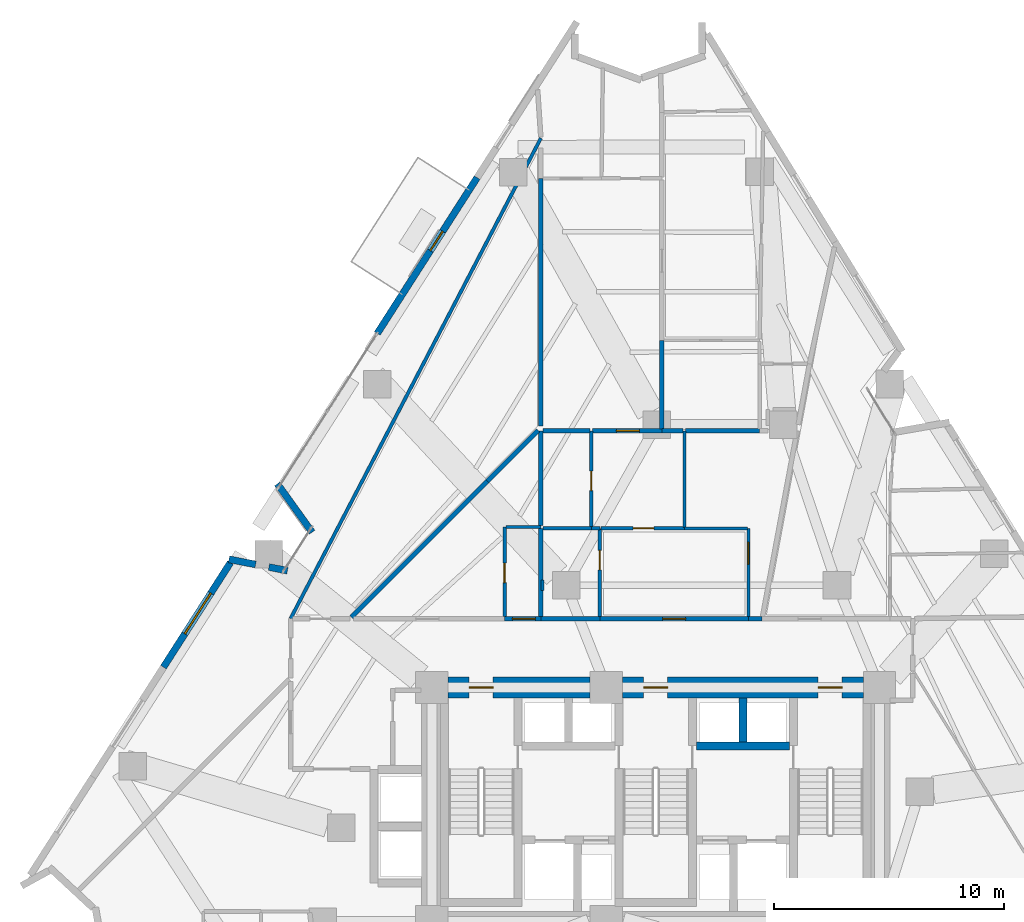
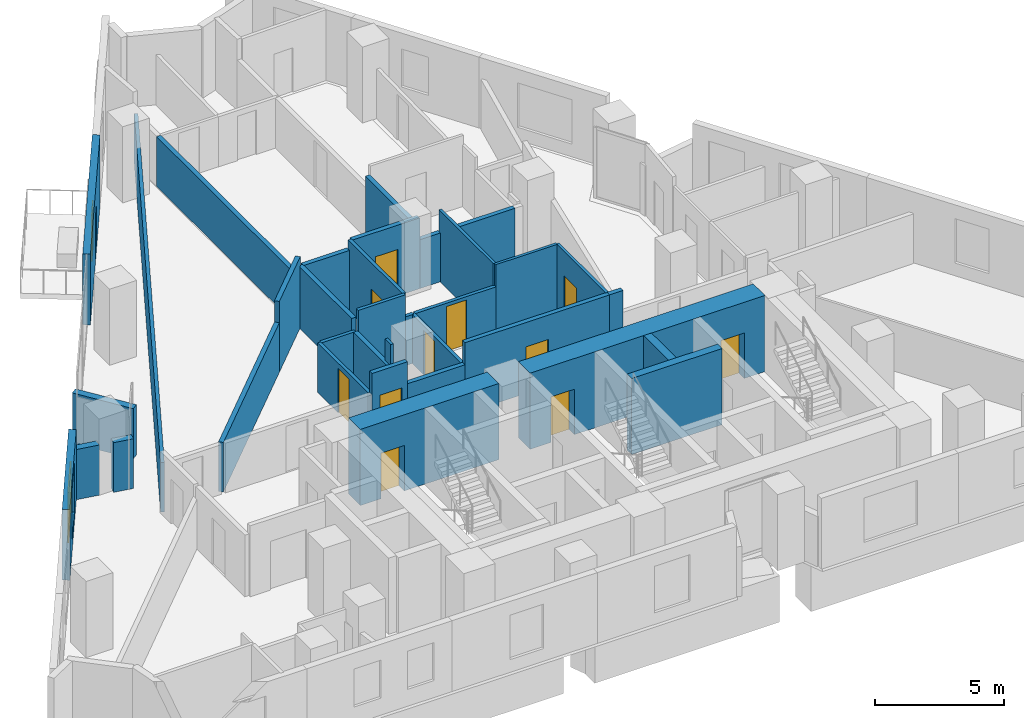
# One storey, part 7 of 13: 35 walls, 12 doors, 1 window, 13 openings.
"""IFC4 building model written with IfcOpenShell, lengths in metres."""

from ifc_helpers import new_model, si_unit, direction, frame, frame_2d, origin, place, context, subcontext, project, spatial, rectangle, extrude, material, layer, layer_set, type_object, element, fill, save


model = new_model("IFC4")

# Units and contexts
model_context = context("Model", 3, precision=1e-05, world=origin(), true_north=direction((0.0, 1.0)))
body_context = subcontext(model_context, "Body", "Model", "MODEL_VIEW")
ifc_project = project(units=[si_unit("LENGTHUNIT", "METRE"), si_unit("AREAUNIT", "SQUARE_METRE"), si_unit("VOLUMEUNIT", "CUBIC_METRE"), si_unit("PLANEANGLEUNIT", "RADIAN"), si_unit("MASSUNIT", "GRAM", prefix="KILO")], contexts=[model_context])

# Site, building, storey
site_placement = place(None, origin())
site = spatial("IfcSite", under=ifc_project, at=site_placement, CompositionType="ELEMENT")
building_placement = place(site_placement, origin())
building = spatial("IfcBuilding", under=site, at=building_placement, Name="Almagre Mirador Tower", CompositionType="ELEMENT")
storey_placement = place(building_placement, frame((0.0, 0.0, 75.0)))
storey = spatial("IfcBuildingStorey", under=building, at=storey_placement, Name="L18", CompositionType="ELEMENT", Elevation=75.0)

# Walls
ifc_material_1 = material(Name="Precast concrete C50/60", Category="concrete")
ifc_layer_1 = layer(ifc_material_1, 0.300048828125)
ifc_layer_set_1 = layer_set([ifc_layer_1], Name="Precast concrete C50/60")
wall_type_1 = type_object("IfcWallType", Name="WAL-EXT-300", PredefinedType="SOLIDWALL", material=ifc_layer_set_1)
wall_1_placement = place(storey_placement, frame((18.718505859375, 20.33154296875, 0.0), z_axis=(0.0, 0.0, 1.0), x_axis=(0.981768670621, -0.190079660635, 0.0)))
element("IfcWall", 1, at=wall_1_placement, inside=storey, type_object=wall_type_1, Name="L18 expressed almagre precast frame wall 01", PredefinedType="SOLIDWALL", context=body_context, shape_type="SweptSolid", body=[
    extrude(rectangle(XDim=1.182861328125, YDim=0.300048828125, at=frame_2d((0.59130859375, 0.0))), origin(), (0.0, 0.0, 1.0), 2.375),
])
wall_2_placement = place(storey_placement, frame((20.4560546875, 19.9951171875, 0.0), z_axis=(0.0, 0.0, 1.0), x_axis=(0.981715557517, -0.190353786749, 0.0)))
element("IfcWall", 2, at=wall_2_placement, inside=storey, type_object=wall_type_1, Name="L18 expressed almagre precast frame wall 02", PredefinedType="SOLIDWALL", context=body_context, shape_type="SweptSolid", body=[
    extrude(rectangle(XDim=0.823486328125, YDim=0.300048828125, at=frame_2d((0.41162109375, 0.0))), origin(), (0.0, 0.0, 1.0), 2.35009765625),
])
wall_3_placement = place(storey_placement, frame((22.336669921875, 21.51123046875, 0.0), z_axis=(0.0, 0.0, 1.0), x_axis=(-0.583178108206, 0.812344319922, 0.0)))
element("IfcWall", 3, at=wall_3_placement, inside=storey, type_object=wall_type_1, Name="L18 expressed almagre precast frame wall 03", PredefinedType="SOLIDWALL", context=body_context, shape_type="SweptSolid", body=[
    extrude(rectangle(XDim=2.593017578125, YDim=0.300048828125, at=frame_2d((1.29638671875, 0.0))), origin(), (0.0, 0.0, 1.0), 2.375),
])

# Wall, opening, door
wall_4_placement = place(storey_placement, frame((25.17724609375, 30.170654296875, 0.0), z_axis=(0.0, 0.0, 1.0), x_axis=(0.539427662029, 0.842031945616, 0.0)))
wall_4 = element("IfcWall", 4, at=wall_4_placement, inside=storey, type_object=wall_type_1, Name="L18 expressed almagre precast frame wall 04", PredefinedType="SOLIDWALL", context=body_context, shape_type="SweptSolid", body=[
    extrude(rectangle(XDim=8.057373046875, YDim=0.300048828125, at=frame_2d((4.02880859375, 0.0))), origin(), (0.0, 0.0, 1.0), 3.35009765625),
])
opening_1_placement = place(wall_4_placement, frame((4.28076171875, 0.0, 0.0)))
opening_1 = element("IfcOpeningElement", 5, at=opening_1_placement, cuts=wall_4, Name="Opening BD-01", PredefinedType="OPENING", context=body_context, shape_type="SweptSolid", body=[
    extrude(rectangle(XDim=1.0, YDim=2.199951171875, at=frame_2d((0.5, 1.10009765625))), frame((0.0, 0.159902, 0.0), z_axis=(0.0, -1.0, 0.0), x_axis=(1.0, 0.0, 0.0)), (0.0, 0.0, 1.0), 0.320049),
])
ifc_material_2 = material(Name="Black anodized aluminium and laminated glass", Category="aluminium")
door_type_1 = type_object("IfcDoorType", Name="DOR-BAL-1000X2200", OperationType="NOTDEFINED", PredefinedType="DOOR", material=ifc_material_2)
door_1_placement = place(opening_1_placement, origin())
door_1 = element("IfcDoor", 6, at=door_1_placement, inside=storey, type_object=door_type_1, Name="DR-0598 L18 west balcony glazed door 2", OperationType="SINGLE_SWING_RIGHT", OverallHeight=2.199951171875, OverallWidth=1.0, PredefinedType="DOOR", context=body_context, shape_type="SweptSolid", body=[
    extrude(rectangle(XDim=1.0, YDim=2.199951171875, at=frame_2d((0.5, 1.10009765625))), frame((0.0, 0.02490234375, 0.0), z_axis=(0.0, -1.0, 0.0), x_axis=(1.0, 0.0, 0.0)), (0.0, 0.0, 1.0), 0.050048828125),
])
fill(opening_1, door_1)

# Wall, opening, window
wall_5_placement = place(storey_placement, frame((15.8642578125, 15.63525390625, 0.0), z_axis=(0.0, 0.0, 1.0), x_axis=(0.53944798429, 0.842018926299, 0.0)))
wall_5 = element("IfcWall", 7, at=wall_5_placement, inside=storey, type_object=wall_type_1, Name="L18 expressed almagre precast frame wall 37", PredefinedType="SOLIDWALL", context=body_context, shape_type="SweptSolid", body=[
    extrude(rectangle(XDim=5.410888671875, YDim=0.300048828125, at=frame_2d((2.70556640625, 0.0))), origin(), (0.0, 0.0, 1.0), 3.35009765625),
])
opening_2_placement = place(wall_5_placement, frame((1.72509765625, 0.0, 0.550048828125)))
opening_2 = element("IfcOpeningElement", 8, at=opening_2_placement, cuts=wall_5, Name="Opening WN-05", PredefinedType="OPENING", context=body_context, shape_type="SweptSolid", body=[
    extrude(rectangle(XDim=2.10009765625, YDim=2.39990234375, at=frame_2d((1.050048828125, 1.199951171875))), frame((0.0, 0.159902, 0.0), z_axis=(0.0, -1.0, 0.0), x_axis=(1.0, 0.0, 0.0)), (0.0, 0.0, 1.0), 0.320049),
])
ifc_material_3 = material(Name="Dark solar-control laminated hurricane glass", Category="glass")
window_type = type_object("IfcWindowType", Name="WIN-2100X2400", PartitioningType="DOUBLE_PANEL_VERTICAL", PredefinedType="WINDOW", material=ifc_material_3)
window_placement = place(opening_2_placement, origin())
window = element("IfcWindow", 9, at=window_placement, inside=storey, type_object=window_type, Name="L18 recessed hurricane window L18-RST-E", OverallHeight=2.39990234375, OverallWidth=2.10009765625, PartitioningType="SINGLE_PANEL", PredefinedType="WINDOW", context=body_context, shape_type="SweptSolid", body=[
    extrude(rectangle(XDim=2.10009765625, YDim=2.39990234375, at=frame_2d((1.050048828125, 1.199951171875))), frame((0.0, 0.030029296875, 0.0), z_axis=(0.0, -1.0, 0.0), x_axis=(1.0, 0.0, 0.0)), (0.0, 0.0, 1.0), 0.06005859375),
])
fill(opening_2, window)

# Wall, opening, door
ifc_material_4 = material(Name="Gypsum acoustic stud partition", Category="other")
ifc_layer_2 = layer(ifc_material_4, 0.125)
ifc_layer_set_2 = layer_set([ifc_layer_2], Name="Gypsum acoustic stud partition")
wall_type_2 = type_object("IfcWallType", Name="WAL-PRT-125-UTL", PredefinedType="PARTITIONING", material=ifc_layer_set_2)
wall_6_placement = place(storey_placement, frame((41.340087890625, 17.8349609375, 0.0), z_axis=(0.0, 0.0, 1.0), x_axis=(0.0, 1.0, 0.0)))
wall_6 = element("IfcWall", 10, at=wall_6_placement, inside=storey, type_object=wall_type_2, Name="L18 interior partition 038", PredefinedType="PARTITIONING", context=body_context, shape_type="SweptSolid", body=[
    extrude(rectangle(XDim=3.844970703125, YDim=0.125, at=frame_2d((1.92236328125, 0.0))), origin(), (0.0, 0.0, 1.0), 3.35009765625),
])
opening_3_placement = place(wall_6_placement, frame((2.285400390625, 0.0, 0.0)))
opening_3 = element("IfcOpeningElement", 11, at=opening_3_placement, cuts=wall_6, Name="Opening UD-01", PredefinedType="OPENING", context=body_context, shape_type="SweptSolid", body=[
    extrude(rectangle(XDim=0.949951171875, YDim=2.199951171875, at=frame_2d((0.47509765625, 1.10009765625))), frame((0.0, 0.0725, 0.0), z_axis=(0.0, -1.0, 0.0), x_axis=(1.0, 0.0, 0.0)), (0.0, 0.0, 1.0), 0.145),
])
ifc_material_5 = material(Name="Solid American walnut timber", Category="wood")
door_type_2 = type_object("IfcDoorType", Name="DOR-UNR-950X2200", OperationType="NOTDEFINED", PredefinedType="DOOR", material=ifc_material_5)
door_2_placement = place(opening_3_placement, origin())
door_2 = element("IfcDoor", 12, at=door_2_placement, inside=storey, type_object=door_type_2, Name="DR-0612 L18 interior door L18-UH-LV to L18-UH-KT", OperationType="SINGLE_SWING_RIGHT", OverallHeight=2.199951171875, OverallWidth=0.949951171875, PredefinedType="DOOR", context=body_context, shape_type="SweptSolid", body=[
    extrude(rectangle(XDim=0.949951171875, YDim=2.199951171875, at=frame_2d((0.47509765625, 1.10009765625))), frame((0.0, 0.02490234375, 0.0), z_axis=(0.0, -1.0, 0.0), x_axis=(1.0, 0.0, 0.0)), (0.0, 0.0, 1.0), 0.050048828125),
])
fill(opening_3, door_2)

# Walls
wall_7_placement = place(storey_placement, frame((41.29248046875, 21.679931640625, 0.0), z_axis=(0.0, 0.0, 1.0), x_axis=(-1.0, 0.0, 0.0)))
element("IfcWall", 13, at=wall_7_placement, inside=storey, type_object=wall_type_2, Name="L18 interior partition 039", PredefinedType="PARTITIONING", context=body_context, shape_type="SweptSolid", body=[
    extrude(rectangle(XDim=2.742431640625, YDim=0.125, at=frame_2d((1.37109375, 0.0))), origin(), (0.0, 0.0, 1.0), 3.35009765625),
])
wall_8_placement = place(storey_placement, frame((38.550048828125, 25.929931640625, 0.0), z_axis=(0.0, 0.0, 1.0), x_axis=(0.0, -1.0, 0.0)))
element("IfcWall", 14, at=wall_8_placement, inside=storey, type_object=wall_type_2, Name="L18 interior partition 043", PredefinedType="PARTITIONING", context=body_context, shape_type="SweptSolid", body=[
    extrude(rectangle(XDim=4.202392578125, YDim=0.125, at=frame_2d((2.10107421875, 0.0))), origin(), (0.0, 0.0, 1.0), 3.35009765625),
])
wall_9_placement = place(storey_placement, frame((32.3798828125, 18.97998046875, 0.0), z_axis=(0.0, 0.0, 1.0), x_axis=(0.0, 1.0, 0.0)))
element("IfcWall", 15, at=wall_9_placement, inside=storey, type_object=wall_type_2, Name="L18 interior partition 074", PredefinedType="PARTITIONING", context=body_context, shape_type="SweptSolid", body=[
    extrude(rectangle(XDim=0.43994140625, YDim=0.125, at=frame_2d((0.219970703125, 0.0))), origin(), (0.0, 0.0, 1.0), 3.35009765625),
])
ifc_material_6 = material(Name="Gypsum acoustic stud partition", Category="other")
ifc_layer_3 = layer(ifc_material_6, 0.14990234375)
ifc_layer_set_3 = layer_set([ifc_layer_3], Name="Gypsum acoustic stud partition")
wall_type_3 = type_object("IfcWallType", Name="WAL-PRT-150-STD", PredefinedType="PARTITIONING", material=ifc_layer_set_3)
wall_10_placement = place(storey_placement, frame((21.39990234375, 17.75, 0.0), z_axis=(0.0, 0.0, 1.0), x_axis=(0.46207959711, 0.886838455376, 0.0)))
element("IfcWall", 16, at=wall_10_placement, inside=storey, type_object=wall_type_3, Name="L18 interior partition 025", PredefinedType="PARTITIONING", context=body_context, shape_type="SweptSolid", body=[
    extrude(rectangle(XDim=23.58935546875, YDim=0.14990234375, at=frame_2d((11.794677734375, 0.0))), origin(), (0.0, 0.0, 1.0), 2.344970703125),
])

# Wall, opening, door
wall_11_placement = place(storey_placement, frame((30.719970703125, 17.8349609375, 0.0), z_axis=(0.0, 0.0, 1.0), x_axis=(0.0, 1.0, 0.0)))
wall_11 = element("IfcWall", 17, at=wall_11_placement, inside=storey, type_object=wall_type_3, Name="L18 interior partition 029", PredefinedType="PARTITIONING", context=body_context, shape_type="SweptSolid", body=[
    extrude(rectangle(XDim=3.905029296875, YDim=0.14990234375, at=frame_2d((1.95263671875, 0.0))), origin(), (0.0, 0.0, 1.0), 2.344970703125),
])
opening_4_placement = place(wall_11_placement, frame((1.485107421875, 0.0, 0.0)))
opening_4 = element("IfcOpeningElement", 18, at=opening_4_placement, cuts=wall_11, Name="Opening UD-04", PredefinedType="OPENING", context=body_context, shape_type="SweptSolid", body=[
    extrude(rectangle(XDim=0.85009765625, YDim=2.10009765625, at=frame_2d((0.425048828125, 1.050048828125))), frame((0.0, 0.084951, 0.0), z_axis=(0.0, -1.0, 0.0), x_axis=(1.0, 0.0, 0.0)), (0.0, 0.0, 1.0), 0.169902),
])
ifc_material_7 = material(Name="Moisture-resistant oak timber", Category="wood")
door_type_3 = type_object("IfcDoorType", Name="DOR-UNR-850X2100", OperationType="NOTDEFINED", PredefinedType="DOOR", material=ifc_material_7)
door_3_placement = place(opening_4_placement, origin())
door_3 = element("IfcDoor", 19, at=door_3_placement, inside=storey, type_object=door_type_3, Name="DR-0610 L18 interior door L18-UF-ST to L18-UF-BT", OperationType="SINGLE_SWING_RIGHT", OverallHeight=2.10009765625, OverallWidth=0.85009765625, PredefinedType="DOOR", context=body_context, shape_type="SweptSolid", body=[
    extrude(rectangle(XDim=0.85009765625, YDim=2.10009765625, at=frame_2d((0.425048828125, 1.050048828125))), frame((0.0, 0.02490234375, 0.0), z_axis=(0.0, -1.0, 0.0), x_axis=(1.0, 0.0, 0.0)), (0.0, 0.0, 1.0), 0.050048828125),
])
fill(opening_4, door_3)

# Wall
wall_12_placement = place(storey_placement, frame((30.780029296875, 21.739990234375, 0.0), z_axis=(0.0, 0.0, 1.0), x_axis=(1.0, 0.0, 0.0)))
element("IfcWall", 20, at=wall_12_placement, inside=storey, type_object=wall_type_3, Name="L18 interior partition 031", PredefinedType="PARTITIONING", context=body_context, shape_type="SweptSolid", body=[
    extrude(rectangle(XDim=1.52001953125, YDim=0.14990234375, at=frame_2d((0.760009765625, 0.0))), origin(), (0.0, 0.0, 1.0), 2.344970703125),
])

# Wall, opening, door
wall_13_placement = place(storey_placement, frame((34.8701171875, 21.679931640625, 0.0), z_axis=(0.0, 0.0, 1.0), x_axis=(0.0, -1.0, 0.0)))
wall_13 = element("IfcWall", 21, at=wall_13_placement, inside=storey, type_object=wall_type_3, Name="L18 interior partition 037", PredefinedType="PARTITIONING", context=body_context, shape_type="SweptSolid", body=[
    extrude(rectangle(XDim=3.844970703125, YDim=0.14990234375, at=frame_2d((1.92236328125, 0.0))), origin(), (0.0, 0.0, 1.0), 2.30908203125),
])
opening_5_placement = place(wall_13_placement, frame((0.956787109375, 0.0, 0.0)))
opening_5 = element("IfcOpeningElement", 22, at=opening_5_placement, cuts=wall_13, Name="Opening UD-04", PredefinedType="OPENING", context=body_context, shape_type="SweptSolid", body=[
    extrude(rectangle(XDim=0.85009765625, YDim=2.10009765625, at=frame_2d((0.425048828125, 1.050048828125))), frame((0.0, 0.084951, 0.0), z_axis=(0.0, -1.0, 0.0), x_axis=(1.0, 0.0, 0.0)), (0.0, 0.0, 1.0), 0.169902),
])
door_4_placement = place(opening_5_placement, origin())
door_4 = element("IfcDoor", 23, at=door_4_placement, inside=storey, type_object=door_type_3, Name="DR-0613 L18 interior door L18-UH-LV to L18-UH-HB", OperationType="SINGLE_SWING_LEFT", OverallHeight=2.10009765625, OverallWidth=0.85009765625, PredefinedType="DOOR", context=body_context, shape_type="SweptSolid", body=[
    extrude(rectangle(XDim=0.85009765625, YDim=2.10009765625, at=frame_2d((0.425048828125, 1.050048828125))), frame((0.0, 0.02490234375, 0.0), z_axis=(0.0, -1.0, 0.0), x_axis=(1.0, 0.0, 0.0)), (0.0, 0.0, 1.0), 0.050048828125),
])
fill(opening_5, door_4)

wall_14_placement = place(storey_placement, frame((38.550048828125, 21.679931640625, 0.0), z_axis=(0.0, 0.0, 1.0), x_axis=(-1.0, 0.0, 0.0)))
wall_14 = element("IfcWall", 24, at=wall_14_placement, inside=storey, type_object=wall_type_3, Name="L18 interior partition 040", PredefinedType="PARTITIONING", context=body_context, shape_type="SweptSolid", body=[
    extrude(rectangle(XDim=3.6201171875, YDim=0.14990234375, at=frame_2d((1.81005859375, 0.0))), origin(), (0.0, 0.0, 1.0), 2.30908203125),
])
opening_6_placement = place(wall_14_placement, frame((1.33056640625, 0.0, 0.0)))
opening_6 = element("IfcOpeningElement", 25, at=opening_6_placement, cuts=wall_14, Name="Opening UD-02", PredefinedType="OPENING", context=body_context, shape_type="SweptSolid", body=[
    extrude(rectangle(XDim=0.89990234375, YDim=2.14990234375, at=frame_2d((0.449951171875, 1.074951171875))), frame((0.0, 0.084951, 0.0), z_axis=(0.0, -1.0, 0.0), x_axis=(1.0, 0.0, 0.0)), (0.0, 0.0, 1.0), 0.169902),
])
ifc_material_8 = material(Name="Solid American walnut timber", Category="wood")
door_type_4 = type_object("IfcDoorType", Name="DOR-UNR-900X2150", OperationType="NOTDEFINED", PredefinedType="DOOR", material=ifc_material_8)
door_5_placement = place(opening_6_placement, origin())
door_5 = element("IfcDoor", 26, at=door_5_placement, inside=storey, type_object=door_type_4, Name="DR-0614 L18 interior door L18-UH-LV to L18-UH-MB", OperationType="SINGLE_SWING_RIGHT", OverallHeight=2.14990234375, OverallWidth=0.89990234375, PredefinedType="DOOR", context=body_context, shape_type="SweptSolid", body=[
    extrude(rectangle(XDim=0.89990234375, YDim=2.14990234375, at=frame_2d((0.449951171875, 1.074951171875))), frame((0.0, 0.02490234375, 0.0), z_axis=(0.0, -1.0, 0.0), x_axis=(1.0, 0.0, 0.0)), (0.0, 0.0, 1.0), 0.050048828125),
])
fill(opening_6, door_5)

# Walls
wall_15_placement = place(storey_placement, frame((34.8701171875, 21.679931640625, 0.0), z_axis=(0.0, 0.0, 1.0), x_axis=(-1.0, 0.0, 0.0)))
element("IfcWall", 27, at=wall_15_placement, inside=storey, type_object=wall_type_3, Name="L18 interior partition 041", PredefinedType="PARTITIONING", context=body_context, shape_type="SweptSolid", body=[
    extrude(rectangle(XDim=0.3701171875, YDim=0.14990234375, at=frame_2d((0.18505859375, 0.0))), origin(), (0.0, 0.0, 1.0), 2.30908203125),
])
wall_16_placement = place(storey_placement, frame((34.5, 21.679931640625, 0.0), z_axis=(0.0, 0.0, 1.0), x_axis=(-1.0, 0.0, 0.0)))
element("IfcWall", 28, at=wall_16_placement, inside=storey, type_object=wall_type_3, Name="L18 interior partition 042", PredefinedType="PARTITIONING", context=body_context, shape_type="SweptSolid", body=[
    extrude(rectangle(XDim=2.114990234375, YDim=0.14990234375, at=frame_2d((1.0576171875, 0.0))), origin(), (0.0, 0.0, 1.0), 3.35009765625),
])

# Wall, opening, door
wall_17_placement = place(storey_placement, frame((34.5, 25.929931640625, 0.0), z_axis=(0.0, 0.0, 1.0), x_axis=(0.0, -1.0, 0.0)))
wall_17 = element("IfcWall", 29, at=wall_17_placement, inside=storey, type_object=wall_type_3, Name="L18 interior partition 047", PredefinedType="PARTITIONING", context=body_context, shape_type="SweptSolid", body=[
    extrude(rectangle(XDim=4.18994140625, YDim=0.14990234375, at=frame_2d((2.094970703125, 0.0))), origin(), (0.0, 0.0, 1.0), 3.35009765625),
])
opening_7_placement = place(wall_17_placement, frame((1.7578125, 0.0, 0.0)))
opening_7 = element("IfcOpeningElement", 30, at=opening_7_placement, cuts=wall_17, Name="Opening UD-04", PredefinedType="OPENING", context=body_context, shape_type="SweptSolid", body=[
    extrude(rectangle(XDim=0.85009765625, YDim=2.10009765625, at=frame_2d((0.425048828125, 1.050048828125))), frame((0.0, 0.084951, 0.0), z_axis=(0.0, -1.0, 0.0), x_axis=(1.0, 0.0, 0.0)), (0.0, 0.0, 1.0), 0.169902),
])
door_6_placement = place(opening_7_placement, origin())
door_6 = element("IfcDoor", 31, at=door_6_placement, inside=storey, type_object=door_type_3, Name="DR-0615 L18 interior door L18-UH-MB to L18-UH-EN", OperationType="SINGLE_SWING_LEFT", OverallHeight=2.10009765625, OverallWidth=0.85009765625, PredefinedType="DOOR", context=body_context, shape_type="SweptSolid", body=[
    extrude(rectangle(XDim=0.85009765625, YDim=2.10009765625, at=frame_2d((0.425048828125, 1.050048828125))), frame((0.0, 0.02490234375, 0.0), z_axis=(0.0, -1.0, 0.0), x_axis=(1.0, 0.0, 0.0)), (0.0, 0.0, 1.0), 0.050048828125),
])
fill(opening_7, door_6)

ifc_material_9 = material(Name="Gypsum acoustic stud partition", Category="other")
ifc_layer_4 = layer(ifc_material_9, 0.199951171875)
ifc_layer_set_4 = layer_set([ifc_layer_4], Name="Gypsum acoustic stud partition")
wall_type_4 = type_object("IfcWallType", Name="WAL-PRT-200-EI60", PredefinedType="PARTITIONING", material=ifc_layer_set_4)
wall_18_placement = place(storey_placement, frame((32.300048828125, 17.75, 0.0), z_axis=(0.0, 0.0, 1.0), x_axis=(-1.0, 0.0, 0.0)))
wall_18 = element("IfcWall", 32, at=wall_18_placement, inside=storey, type_object=wall_type_4, Name="L18 interior partition 008", PredefinedType="PARTITIONING", context=body_context, shape_type="SweptSolid", body=[
    extrude(rectangle(XDim=1.580078125, YDim=0.199951171875, at=frame_2d((0.7900390625, 0.0))), origin(), (0.0, 0.0, 1.0), 3.35009765625),
])
opening_8_placement = place(wall_18_placement, frame((0.239990234375, 0.0, 0.0)))
opening_8 = element("IfcOpeningElement", 33, at=opening_8_placement, cuts=wall_18, Name="Opening ID-01", PredefinedType="OPENING", context=body_context, shape_type="SweptSolid", body=[
    extrude(rectangle(XDim=1.0, YDim=2.199951171875, at=frame_2d((0.5, 1.10009765625))), frame((0.0, 0.110098, 0.0), z_axis=(0.0, -1.0, 0.0), x_axis=(1.0, 0.0, 0.0)), (0.0, 0.0, 1.0), 0.219951),
])
ifc_material_10 = material(Name="Fire-rated walnut timber", Category="wood")
door_type_5 = type_object("IfcDoorType", Name="DOR-FD60-1000X2200", OperationType="NOTDEFINED", PredefinedType="DOOR", material=ifc_material_10)
door_7_placement = place(opening_8_placement, origin())
door_7 = element("IfcDoor", 34, at=door_7_placement, inside=storey, type_object=door_type_5, Name="DR-0628 L18 interior door L18-RCOR to L18-UF-BT", OperationType="SINGLE_SWING_RIGHT", OverallHeight=2.199951171875, OverallWidth=1.0, PredefinedType="DOOR", context=body_context, shape_type="SweptSolid", body=[
    extrude(rectangle(XDim=1.0, YDim=2.199951171875, at=frame_2d((0.5, 1.10009765625))), frame((0.0, 0.02490234375, 0.0), z_axis=(0.0, -1.0, 0.0), x_axis=(1.0, 0.0, 0.0)), (0.0, 0.0, 1.0), 0.050048828125),
])
fill(opening_8, door_7)

wall_19_placement = place(storey_placement, frame((41.340087890625, 17.75, 0.0), z_axis=(0.0, 0.0, 1.0), x_axis=(-1.0, 0.0, 0.0)))
wall_19 = element("IfcWall", 35, at=wall_19_placement, inside=storey, type_object=wall_type_4, Name="L18 interior partition 010", PredefinedType="PARTITIONING", context=body_context, shape_type="SweptSolid", body=[
    extrude(rectangle(XDim=6.469970703125, YDim=0.199951171875, at=frame_2d((3.23486328125, 0.0))), origin(), (0.0, 0.0, 1.0), 3.35009765625),
])
opening_9_placement = place(wall_19_placement, frame((2.735107421875, 0.0, 0.0)))
opening_9 = element("IfcOpeningElement", 36, at=opening_9_placement, cuts=wall_19, Name="Opening ID-01", PredefinedType="OPENING", context=body_context, shape_type="SweptSolid", body=[
    extrude(rectangle(XDim=1.0, YDim=2.199951171875, at=frame_2d((0.5, 1.10009765625))), frame((0.0, 0.110098, 0.0), z_axis=(0.0, -1.0, 0.0), x_axis=(1.0, 0.0, 0.0)), (0.0, 0.0, 1.0), 0.219951),
])
door_8_placement = place(opening_9_placement, origin())
door_8 = element("IfcDoor", 37, at=door_8_placement, inside=storey, type_object=door_type_5, Name="DR-0611 L18 interior door L18-RCOR to L18-UH-LV", OperationType="SINGLE_SWING_LEFT", OverallHeight=2.199951171875, OverallWidth=1.0, PredefinedType="DOOR", context=body_context, shape_type="SweptSolid", body=[
    extrude(rectangle(XDim=1.0, YDim=2.199951171875, at=frame_2d((0.5, 1.10009765625))), frame((0.0, 0.02490234375, 0.0), z_axis=(0.0, -1.0, 0.0), x_axis=(1.0, 0.0, 0.0)), (0.0, 0.0, 1.0), 0.050048828125),
])
fill(opening_9, door_8)

# Walls
wall_20_placement = place(storey_placement, frame((34.8701171875, 17.75, 0.0), z_axis=(0.0, 0.0, 1.0), x_axis=(-1.0, 0.0, 0.0)))
element("IfcWall", 38, at=wall_20_placement, inside=storey, type_object=wall_type_4, Name="L18 interior partition 011", PredefinedType="PARTITIONING", context=body_context, shape_type="SweptSolid", body=[
    extrude(rectangle(XDim=2.570068359375, YDim=0.199951171875, at=frame_2d((1.28515625, 0.0))), origin(), (0.0, 0.0, 1.0), 2.30908203125),
])
wall_21_placement = place(storey_placement, frame((41.93994140625, 17.75, 0.0), z_axis=(0.0, 0.0, 1.0), x_axis=(-1.0, 0.0, 0.0)))
element("IfcWall", 39, at=wall_21_placement, inside=storey, type_object=wall_type_4, Name="L18 interior partition 012", PredefinedType="PARTITIONING", context=body_context, shape_type="SweptSolid", body=[
    extrude(rectangle(XDim=0.599853515625, YDim=0.199951171875, at=frame_2d((0.2998046875, 0.0))), origin(), (0.0, 0.0, 1.0), 3.35009765625),
])
wall_22_placement = place(storey_placement, frame((29.969970703125, 23.72998046875, 0.0), z_axis=(0.0, 0.0, 1.0), x_axis=(-0.707106781187, -0.707106781187, 0.0)))
element("IfcWall", 40, at=wall_22_placement, inside=storey, type_object=wall_type_4, Name="L18 interior partition 030", PredefinedType="PARTITIONING", context=body_context, shape_type="SweptSolid", body=[
    extrude(rectangle(XDim=8.3720703125, YDim=0.199951171875, at=frame_2d((4.18603515625, 0.0))), origin(), (0.0, 0.0, 1.0), 2.344970703125),
])
wall_23_placement = place(storey_placement, frame((32.18701171875, 25.947021484375, 0.0), z_axis=(0.0, 0.0, 1.0), x_axis=(-0.707106781187, -0.707106781187, 0.0)))
element("IfcWall", 41, at=wall_23_placement, inside=storey, type_object=wall_type_4, Name="L18 interior partition 032", PredefinedType="PARTITIONING", context=body_context, shape_type="SweptSolid", body=[
    extrude(rectangle(XDim=3.13525390625, YDim=0.199951171875, at=frame_2d((1.567626953125, 0.0))), origin(), (0.0, 0.0, 1.0), 3.35009765625),
])
wall_24_placement = place(storey_placement, frame((32.300048828125, 21.800048828125, 0.0), z_axis=(0.0, 0.0, 1.0), x_axis=(0.0, 1.0, 0.0)))
element("IfcWall", 42, at=wall_24_placement, inside=storey, type_object=wall_type_4, Name="L18 interior partition 033", PredefinedType="PARTITIONING", context=body_context, shape_type="SweptSolid", body=[
    extrude(rectangle(XDim=4.1298828125, YDim=0.199951171875, at=frame_2d((2.06494140625, 0.0))), origin(), (0.0, 0.0, 1.0), 2.910888671875),
])
wall_25_placement = place(storey_placement, frame((32.300048828125, 17.8349609375, 0.0), z_axis=(0.0, 0.0, 1.0), x_axis=(0.0, 1.0, 0.0)))
element("IfcWall", 43, at=wall_25_placement, inside=storey, type_object=wall_type_4, Name="L18 interior partition 034", PredefinedType="PARTITIONING", context=body_context, shape_type="SweptSolid", body=[
    extrude(rectangle(XDim=3.844970703125, YDim=0.199951171875, at=frame_2d((1.92236328125, 0.0))), origin(), (0.0, 0.0, 1.0), 2.344970703125),
])
wall_26_placement = place(storey_placement, frame((32.300048828125, 26.14501953125, 0.0), z_axis=(0.0, 0.0, 1.0), x_axis=(0.0, 1.0, 0.0)))
element("IfcWall", 44, at=wall_26_placement, inside=storey, type_object=wall_type_4, Name="L18 interior partition 035", PredefinedType="PARTITIONING", context=body_context, shape_type="SweptSolid", body=[
    extrude(rectangle(XDim=10.77490234375, YDim=0.199951171875, at=frame_2d((5.387451171875, 0.0))), origin(), (0.0, 0.0, 1.0), 2.344970703125),
])
wall_27_placement = place(storey_placement, frame((41.830078125, 25.929931640625, 0.0), z_axis=(0.0, 0.0, 1.0), x_axis=(-1.0, 0.0, 0.0)))
element("IfcWall", 45, at=wall_27_placement, inside=storey, type_object=wall_type_4, Name="L18 interior partition 045", PredefinedType="PARTITIONING", context=body_context, shape_type="SweptSolid", body=[
    extrude(rectangle(XDim=3.232666015625, YDim=0.199951171875, at=frame_2d((1.6162109375, 0.0))), origin(), (0.0, 0.0, 1.0), 2.30908203125),
])

# Wall, opening, door
wall_28_placement = place(storey_placement, frame((37.570068359375, 25.929931640625, 0.0), z_axis=(0.0, 0.0, 1.0), x_axis=(-1.0, 0.0, 0.0)))
wall_28 = element("IfcWall", 46, at=wall_28_placement, inside=storey, type_object=wall_type_4, Name="L18 interior partition 048", PredefinedType="PARTITIONING", context=body_context, shape_type="SweptSolid", body=[
    extrude(rectangle(XDim=3.010009765625, YDim=0.199951171875, at=frame_2d((1.5048828125, 0.0))), origin(), (0.0, 0.0, 1.0), 3.35009765625),
])
opening_10_placement = place(wall_28_placement, frame((0.975341796875, 0.0, 0.0)))
opening_10 = element("IfcOpeningElement", 47, at=opening_10_placement, cuts=wall_28, Name="Opening ID-01", PredefinedType="OPENING", context=body_context, shape_type="SweptSolid", body=[
    extrude(rectangle(XDim=1.0, YDim=2.199951171875, at=frame_2d((0.5, 1.10009765625))), frame((0.0, 0.110098, 0.0), z_axis=(0.0, -1.0, 0.0), x_axis=(1.0, 0.0, 0.0)), (0.0, 0.0, 1.0), 0.219951),
])
door_9_placement = place(opening_10_placement, origin())
door_9 = element("IfcDoor", 48, at=door_9_placement, inside=storey, type_object=door_type_5, Name="DR-0626 L18 interior door L18-UH-MB to L18-UK-ST", OperationType="SINGLE_SWING_RIGHT", OverallHeight=2.199951171875, OverallWidth=1.0, PredefinedType="DOOR", context=body_context, shape_type="SweptSolid", body=[
    extrude(rectangle(XDim=1.0, YDim=2.199951171875, at=frame_2d((0.5, 1.10009765625))), frame((0.0, 0.02490234375, 0.0), z_axis=(0.0, -1.0, 0.0), x_axis=(1.0, 0.0, 0.0)), (0.0, 0.0, 1.0), 0.050048828125),
])
fill(opening_10, door_9)

# Walls
wall_29_placement = place(storey_placement, frame((38.50244140625, 25.929931640625, 0.0), z_axis=(0.0, 0.0, 1.0), x_axis=(-1.0, 0.0, 0.0)))
element("IfcWall", 49, at=wall_29_placement, inside=storey, type_object=wall_type_4, Name="L18 interior partition 049", PredefinedType="PARTITIONING", context=body_context, shape_type="SweptSolid", body=[
    extrude(rectangle(XDim=0.932373046875, YDim=0.199951171875, at=frame_2d((0.46630859375, 0.0))), origin(), (0.0, 0.0, 1.0), 2.30908203125),
])
wall_30_placement = place(storey_placement, frame((34.43994140625, 25.929931640625, 0.0), z_axis=(0.0, 0.0, 1.0), x_axis=(-1.0, 0.0, 0.0)))
element("IfcWall", 50, at=wall_30_placement, inside=storey, type_object=wall_type_4, Name="L18 interior partition 050", PredefinedType="PARTITIONING", context=body_context, shape_type="SweptSolid", body=[
    extrude(rectangle(XDim=2.054931640625, YDim=0.199951171875, at=frame_2d((1.02734375, 0.0))), origin(), (0.0, 0.0, 1.0), 2.910888671875),
])
wall_31_placement = place(storey_placement, frame((37.570068359375, 26.014892578125, 0.0), z_axis=(0.0, 0.0, 1.0), x_axis=(0.0, 1.0, 0.0)))
element("IfcWall", 51, at=wall_31_placement, inside=storey, type_object=wall_type_4, Name="L18 interior partition 061", PredefinedType="PARTITIONING", context=body_context, shape_type="SweptSolid", body=[
    extrude(rectangle(XDim=3.855224609375, YDim=0.199951171875, at=frame_2d((1.927734375, 0.0))), origin(), (0.0, 0.0, 1.0), 2.910888671875),
])
ifc_material_11 = material(Name="Concrete C60/75", Category="concrete")
ifc_layer_5 = layer(ifc_material_11, 0.35009765625)
ifc_layer_set_5 = layer_set([ifc_layer_5], Name="Concrete C60/75")
wall_type_5 = type_object("IfcWallType", Name="WAL-SHF-350", PredefinedType="SOLIDWALL", material=ifc_layer_set_5)
wall_32_placement = place(storey_placement, frame((39.074951171875, 12.199951171875, 0.0), z_axis=(0.0, 0.0, 1.0), x_axis=(1.0, 0.0, 0.0)))
element("IfcWall", 52, at=wall_32_placement, inside=storey, type_object=wall_type_5, Name="L18 shaft wall PLH-S", PredefinedType="SOLIDWALL", context=body_context, shape_type="SweptSolid", body=[
    extrude(rectangle(XDim=4.050048828125, YDim=0.35009765625, at=frame_2d((2.02490234375, 0.0))), origin(), (0.0, 0.0, 1.0), 3.60009765625),
])
wall_33_placement = place(storey_placement, frame((41.10009765625, 12.375, 0.0), z_axis=(0.0, 0.0, 1.0), x_axis=(0.0, 1.0, 0.0)))
element("IfcWall", 53, at=wall_33_placement, inside=storey, type_object=wall_type_5, Name="L18 shaft wall PLH-M", PredefinedType="SOLIDWALL", context=body_context, shape_type="SweptSolid", body=[
    extrude(rectangle(XDim=1.925048828125, YDim=0.35009765625, at=frame_2d((0.96240234375, 0.0))), origin(), (0.0, 0.0, 1.0), 3.60009765625),
])

# Wall, opening, door
ifc_material_12 = material(Name="Concrete C70/85", Category="concrete")
ifc_layer_6 = layer(ifc_material_12, 0.89990234375)
ifc_layer_set_6 = layer_set([ifc_layer_6], Name="Concrete C70/85")
wall_type_6 = type_object("IfcWallType", Name="WAL-SHR-900", PredefinedType="SHEAR", material=ifc_layer_set_6)
wall_34_placement = place(storey_placement, frame((28.25, 14.75, 0.0), z_axis=(0.0, 0.0, 1.0), x_axis=(1.0, 0.0, 0.0)))
wall_34 = element("IfcWall", 54, at=wall_34_placement, inside=storey, type_object=wall_type_6, Name="L18 core shear wall N1", PredefinedType="SHEAR", context=body_context, shape_type="SweptSolid", body=[
    extrude(rectangle(XDim=6.199951171875, YDim=0.89990234375, at=frame_2d((3.10009765625, 0.0))), origin(), (0.0, 0.0, 1.0), 3.60009765625),
])
opening_11_placement = place(wall_34_placement, frame((0.925048828125, 0.0, 0.0)))
opening_11 = element("IfcOpeningElement", 55, at=opening_11_placement, cuts=wall_34, Name="Opening SD-01", PredefinedType="OPENING", context=body_context, shape_type="SweptSolid", body=[
    extrude(rectangle(XDim=1.050048828125, YDim=2.14990234375, at=frame_2d((0.52490234375, 1.074951171875))), frame((0.0, 0.459951, 0.0), z_axis=(0.0, -1.0, 0.0), x_axis=(1.0, 0.0, 0.0)), (0.0, 0.0, 1.0), 0.919902),
])
ifc_material_13 = material(Name="Fire-rated hollow steel", Category="steel")
door_type_6 = type_object("IfcDoorType", Name="DOR-ST-1050X2150", OperationType="NOTDEFINED", PredefinedType="DOOR", material=ifc_material_13)
door_10_placement = place(opening_11_placement, origin())
door_10 = element("IfcDoor", 56, at=door_10_placement, inside=storey, type_object=door_type_6, Name="DR-0633 L18 protected exit stair ST-1 door", OperationType="SINGLE_SWING_RIGHT", OverallHeight=2.14990234375, OverallWidth=1.050048828125, PredefinedType="DOOR", context=body_context, shape_type="SweptSolid", body=[
    extrude(rectangle(XDim=1.050048828125, YDim=2.14990234375, at=frame_2d((0.52490234375, 1.074951171875))), frame((0.0, 0.02490234375, 0.0), z_axis=(0.0, -1.0, 0.0), x_axis=(1.0, 0.0, 0.0)), (0.0, 0.0, 1.0), 0.050048828125),
])
fill(opening_11, door_10)

# Wall, openings, doors
wall_35_placement = place(storey_placement, frame((35.85009765625, 14.75, 0.0), z_axis=(0.0, 0.0, 1.0), x_axis=(1.0, 0.0, 0.0)))
wall_35 = element("IfcWall", 57, at=wall_35_placement, inside=storey, type_object=wall_type_6, Name="L18 core shear wall N2", PredefinedType="SHEAR", context=body_context, shape_type="SweptSolid", body=[
    extrude(rectangle(XDim=10.5, YDim=0.89990234375, at=frame_2d((5.25, 0.0))), origin(), (0.0, 0.0, 1.0), 3.60009765625),
])
opening_12_placement = place(wall_35_placement, frame((0.925048828125, 0.0, 0.0)))
opening_12 = element("IfcOpeningElement", 58, at=opening_12_placement, cuts=wall_35, Name="Opening SD-01", PredefinedType="OPENING", context=body_context, shape_type="SweptSolid", body=[
    extrude(rectangle(XDim=1.050048828125, YDim=2.14990234375, at=frame_2d((0.52490234375, 1.074951171875))), frame((0.0, 0.459951, 0.0), z_axis=(0.0, -1.0, 0.0), x_axis=(1.0, 0.0, 0.0)), (0.0, 0.0, 1.0), 0.919902),
])
opening_13_placement = place(wall_35_placement, frame((8.52490234375, 0.0, 0.0)))
opening_13 = element("IfcOpeningElement", 59, at=opening_13_placement, cuts=wall_35, Name="Opening SD-01", PredefinedType="OPENING", context=body_context, shape_type="SweptSolid", body=[
    extrude(rectangle(XDim=1.050048828125, YDim=2.14990234375, at=frame_2d((0.52490234375, 1.074951171875))), frame((0.0, 0.459951, 0.0), z_axis=(0.0, -1.0, 0.0), x_axis=(1.0, 0.0, 0.0)), (0.0, 0.0, 1.0), 0.919902),
])
door_11_placement = place(opening_12_placement, origin())
door_11 = element("IfcDoor", 60, at=door_11_placement, inside=storey, type_object=door_type_6, Name="DR-0634 L18 protected exit stair ST-2 door", OperationType="SINGLE_SWING_RIGHT", OverallHeight=2.14990234375, OverallWidth=1.050048828125, PredefinedType="DOOR", context=body_context, shape_type="SweptSolid", body=[
    extrude(rectangle(XDim=1.050048828125, YDim=2.14990234375, at=frame_2d((0.52490234375, 1.074951171875))), frame((0.0, 0.02490234375, 0.0), z_axis=(0.0, -1.0, 0.0), x_axis=(1.0, 0.0, 0.0)), (0.0, 0.0, 1.0), 0.050048828125),
])
fill(opening_12, door_11)
door_12_placement = place(opening_13_placement, origin())
door_12 = element("IfcDoor", 61, at=door_12_placement, inside=storey, type_object=door_type_6, Name="DR-0635 L18 protected exit stair ST-3 door", OperationType="SINGLE_SWING_LEFT", OverallHeight=2.14990234375, OverallWidth=1.050048828125, PredefinedType="DOOR", context=body_context, shape_type="SweptSolid", body=[
    extrude(rectangle(XDim=1.050048828125, YDim=2.14990234375, at=frame_2d((0.52490234375, 1.074951171875))), frame((0.0, 0.02490234375, 0.0), z_axis=(0.0, -1.0, 0.0), x_axis=(1.0, 0.0, 0.0)), (0.0, 0.0, 1.0), 0.050048828125),
])
fill(opening_13, door_12)

save(model, "model.ifc")
